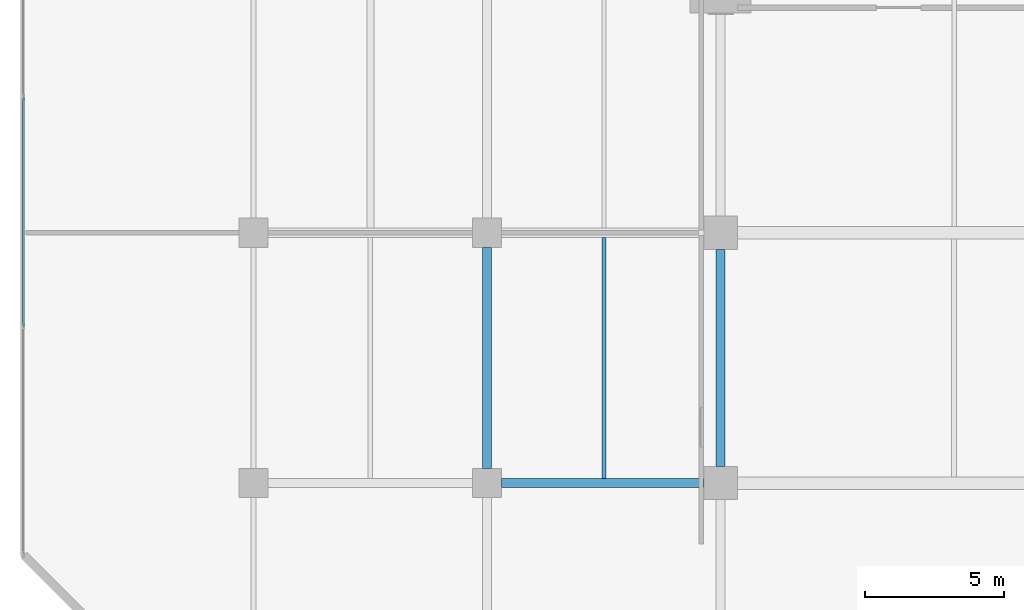
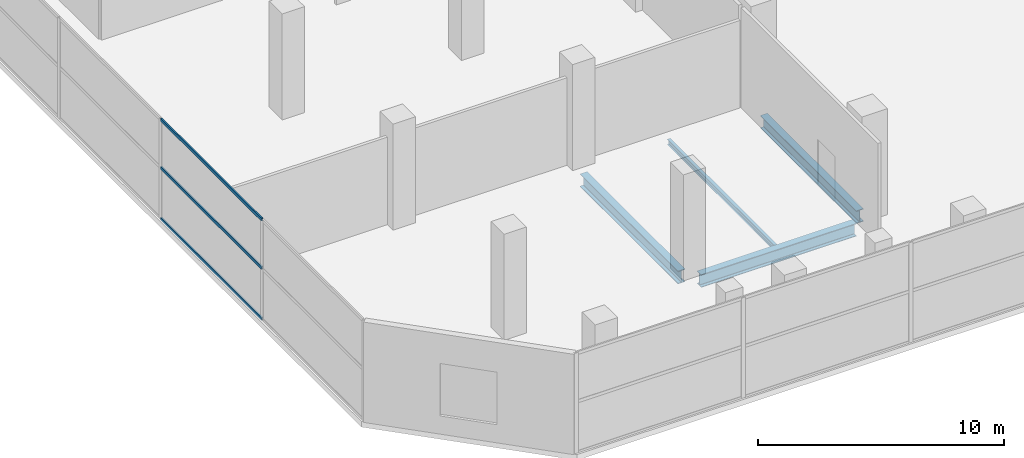
# One storey, part 8 of 40: 4 beams, 3 members, 1 element without a shape of its own.
"""IFC4 building model written with IfcOpenShell, lengths in metres."""

from ifc_helpers import new_model, si_unit, direction, frame, origin, origin_2d, place, context, subcontext, project, spatial, hollow_rectangle, i_section, extrude, material, layer, layer_set, material_profile, profile_set, type_object, element, aggregate, save


model = new_model("IFC4")

# Units and contexts
model_context = context("Model", 3, precision=1e-05, world=origin(), true_north=direction((0.0, 1.0)))
body_context = subcontext(model_context, "Body", "Model", "MODEL_VIEW")
ifc_project = project(units=[si_unit("LENGTHUNIT", "METRE"), si_unit("AREAUNIT", "SQUARE_METRE"), si_unit("VOLUMEUNIT", "CUBIC_METRE"), si_unit("PLANEANGLEUNIT", "RADIAN"), si_unit("MASSUNIT", "GRAM", prefix="KILO")], contexts=[model_context])

# Site, building, storey
site_placement = place(None, origin())
site = spatial("IfcSite", under=ifc_project, at=site_placement, CompositionType="ELEMENT")
building_placement = place(site_placement, origin())
building = spatial("IfcBuilding", under=site, at=building_placement, Name="Maruvema Waterfront Hotel and Observation Tower", CompositionType="ELEMENT")
storey_placement = place(building_placement, frame((0.0, 0.0, 5.60009765625)))
storey = spatial("IfcBuildingStorey", under=building, at=storey_placement, Name="L01", CompositionType="ELEMENT", Elevation=5.60009765625)

# Curtain wall, members
ifc_material_1 = material(Name="Anodised bronze aluminium and solar-control low-E IGU", Category="aluminium")
ifc_layer = layer(ifc_material_1, 0.159912109375, Name="Podium Waterfront Storefront Curtain Wall System CW-01")
ifc_layer_set = layer_set([ifc_layer], Name="Anodised bronze aluminium and solar-control low-E IGU")
curtain_wall_type = type_object("IfcCurtainWallType", Name="Podium Waterfront Storefront Curtain Wall System CW-01", PredefinedType="USERDEFINED", material=ifc_layer_set)
curtain_wall_placement = place(storey_placement, origin())
curtain_wall = element("IfcCurtainWall", 1, at=curtain_wall_placement, inside=storey, type_object=curtain_wall_type, Name="L01 Curtain Wall CW-L01-W", ObjectType="UNITISED CURTAIN WALL", PredefinedType="USERDEFINED")
ifc_material_2 = material(Name="Anodised architectural bronze aluminium", Category="aluminium")
ifc_material_profile_1 = material_profile(ifc_material_2, hollow_rectangle(XDim=0.070068359375, YDim=0.14990234375, WallThickness=0.00390625, at=origin_2d()), Name="ALU-T70x150")
ifc_profile_set_1 = profile_set([ifc_material_profile_1], Name="Anodised architectural bronze aluminium")
member_type = type_object("IfcMemberType", Name="Curtain Wall Horizontal Transom ALU-T70x150", PredefinedType="USERDEFINED", material=ifc_profile_set_1)
member_1_placement = place(storey_placement, frame((0.1201171875, 22.85009765625, 0.02978515625), z_axis=(0.0, -1.0, 0.0), x_axis=(1.0, 0.0, 0.0)))
member_1 = element("IfcMember", 2, at=member_1_placement, type_object=member_type, Name="CW-01 transom 4.1", ObjectType="TRANSOM", PredefinedType="USERDEFINED", context=body_context, shape_type="SweptSolid", body=[
    extrude(hollow_rectangle(XDim=0.070068359375, YDim=0.14990234375, WallThickness=0.00390625, at=origin_2d()), origin(), (0.0, 0.0, 1.0), 8.18017578125),
])
member_2_placement = place(storey_placement, frame((0.1201171875, 22.85009765625, 2.5498046875), z_axis=(0.0, -1.0, 0.0), x_axis=(1.0, 0.0, 0.0)))
member_2 = element("IfcMember", 3, at=member_2_placement, type_object=member_type, Name="CW-01 transom 4.2", ObjectType="TRANSOM", PredefinedType="USERDEFINED", context=body_context, shape_type="SweptSolid", body=[
    extrude(hollow_rectangle(XDim=0.070068359375, YDim=0.14990234375, WallThickness=0.00390625, at=origin_2d()), origin(), (0.0, 0.0, 1.0), 8.18017578125),
])
member_3_placement = place(storey_placement, frame((0.1201171875, 22.85009765625, 4.93994140625), z_axis=(0.0, -1.0, 0.0), x_axis=(1.0, 0.0, 0.0)))
member_3 = element("IfcMember", 4, at=member_3_placement, type_object=member_type, Name="CW-01 transom 4.3", ObjectType="TRANSOM", PredefinedType="USERDEFINED", context=body_context, shape_type="SweptSolid", body=[
    extrude(hollow_rectangle(XDim=0.070068359375, YDim=0.14990234375, WallThickness=0.00390625, at=origin_2d()), origin(), (0.0, 0.0, 1.0), 8.18017578125),
])
aggregate(curtain_wall, [member_1, member_2, member_3])

# Beams
ifc_material_3 = material(Name="Steel ASTM A572 Grade 50", Category="steel")
ifc_material_profile_2 = material_profile(ifc_material_3, i_section(OverallWidth=0.3291015625, OverallDepth=0.635009765625, WebThickness=0.017822265625, FlangeThickness=0.031005859375, FilletRadius=0.01806640625, at=origin_2d()), Name="W610x241.0")
ifc_profile_set_2 = profile_set([ifc_material_profile_2], Name="Steel ASTM A572 Grade 50")
beam_type_1 = type_object("IfcBeamType", Name="Primary Floor Girder W610x241.0", PredefinedType="BEAM", material=ifc_profile_set_2)
beam_1_placement = place(storey_placement, frame((17.324951171875, 9.0, -0.59765625), z_axis=(1.0, 0.0, 0.0), x_axis=(0.0, 1.0, 0.0)))
element("IfcBeam", 5, at=beam_1_placement, inside=storey, type_object=beam_type_1, Name="L01 Floor Girder EW-11", PredefinedType="BEAM", context=body_context, shape_type="SweptSolid", body=[
    extrude(i_section(OverallWidth=0.3291015625, OverallDepth=0.635009765625, WebThickness=0.017822265625, FlangeThickness=0.031005859375, FilletRadius=0.01806640625, at=origin_2d()), origin(), (0.0, 0.0, 1.0), 7.275146484375),
])
beam_2_placement = place(storey_placement, frame((16.800048828125, 9.52490234375, -0.59765625), z_axis=(0.0, 1.0, 0.0), x_axis=(-1.0, 0.0, 0.0)))
element("IfcBeam", 6, at=beam_2_placement, inside=storey, type_object=beam_type_1, Name="L01 Floor Girder NS-08", PredefinedType="BEAM", context=body_context, shape_type="SweptSolid", body=[
    extrude(i_section(OverallWidth=0.3291015625, OverallDepth=0.635009765625, WebThickness=0.017822265625, FlangeThickness=0.031005859375, FilletRadius=0.01806640625, at=origin_2d()), origin(), (0.0, 0.0, 1.0), 7.9501953125),
])
beam_3_placement = place(storey_placement, frame((25.199951171875, 9.60009765625, -0.59765625), z_axis=(0.0, 1.0, 0.0), x_axis=(-1.0, 0.0, 0.0)))
element("IfcBeam", 7, at=beam_3_placement, inside=storey, type_object=beam_type_1, Name="L01 Floor Girder NS-14", PredefinedType="BEAM", context=body_context, shape_type="SweptSolid", body=[
    extrude(i_section(OverallWidth=0.3291015625, OverallDepth=0.635009765625, WebThickness=0.017822265625, FlangeThickness=0.031005859375, FilletRadius=0.01806640625, at=origin_2d()), origin(), (0.0, 0.0, 1.0), 7.7998046875),
])
ifc_material_4 = material(Name="Steel ASTM A572 Grade 50", Category="steel")
ifc_material_profile_3 = material_profile(ifc_material_4, i_section(OverallWidth=0.14794921875, OverallDepth=0.26611328125, WebThickness=0.007568359375, FlangeThickness=0.012939453125, FilletRadius=0.012939453125, at=origin_2d()), Name="W250x44.8")
ifc_profile_set_3 = profile_set([ifc_material_profile_3], Name="Steel ASTM A572 Grade 50")
beam_type_2 = type_object("IfcBeamType", Name="Secondary Floor Joist W250x44.8", PredefinedType="JOIST", material=ifc_profile_set_3)
beam_4_placement = place(storey_placement, frame((21.0, 9.16455078125, -0.4130859375), z_axis=(0.0, 1.0, 0.0), x_axis=(-1.0, 0.0, 0.0)))
element("IfcBeam", 8, at=beam_4_placement, inside=storey, type_object=beam_type_2, Name="L01 Secondary Floor Joist JS-05", PredefinedType="JOIST", context=body_context, shape_type="SweptSolid", body=[
    extrude(i_section(OverallWidth=0.14794921875, OverallDepth=0.26611328125, WebThickness=0.007568359375, FlangeThickness=0.012939453125, FilletRadius=0.012939453125, at=origin_2d()), origin(), (0.0, 0.0, 1.0), 8.6708984375),
])

save(model, "model.ifc")
